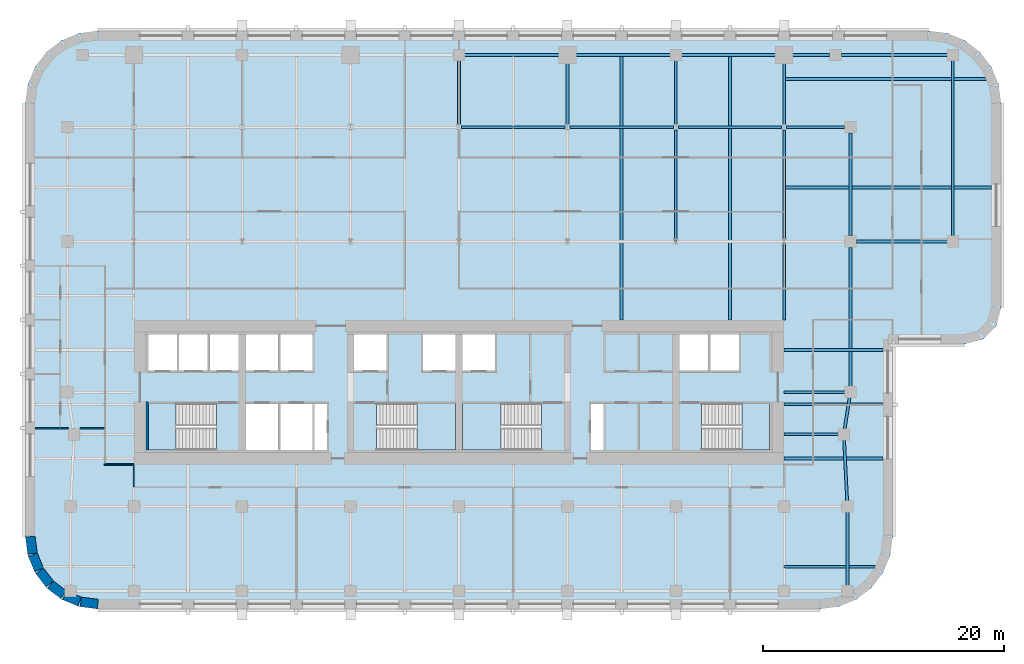
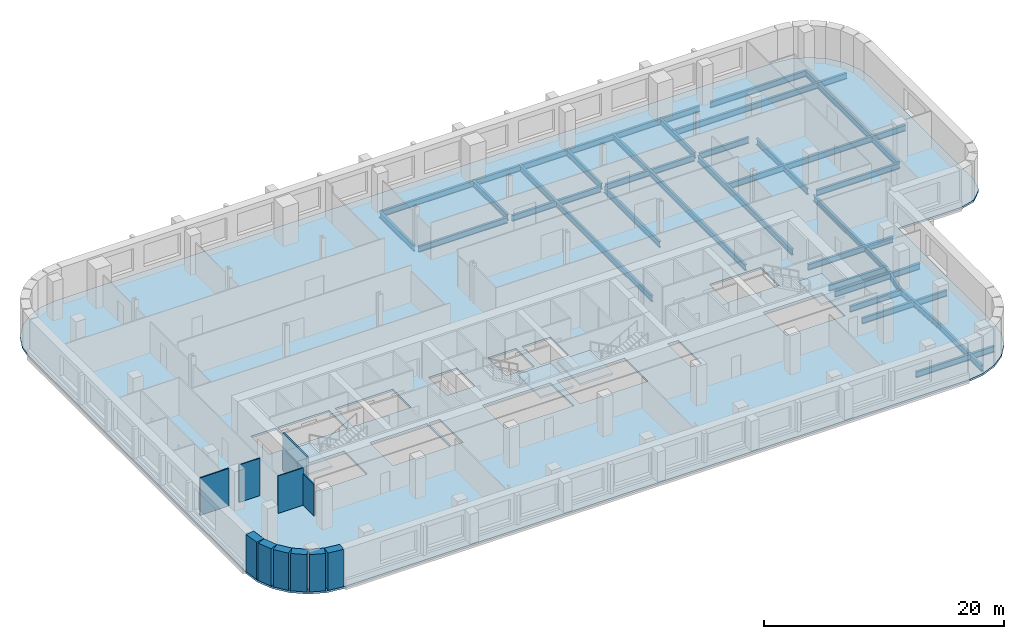
# One storey, part 2 of 10: 30 beams, 11 walls, 5 slabs, 4 elements without a shape of their own.
"""IFC4 building model written with IfcOpenShell, lengths in metres."""

from ifc_helpers import new_model, si_unit, direction, frame, frame_2d, origin, origin_2d, place, context, subcontext, project, spatial, polyline, rectangle, i_section, outline, extrude, material, layer, layer_set, material_profile, profile_set, type_object, element, aggregate, save


model = new_model("IFC4")

# Units and contexts
model_context = context("Model", 3, precision=1e-05, world=origin(), true_north=direction((0.0, 1.0)))
body_context = subcontext(model_context, "Body", "Model", "MODEL_VIEW")
ifc_project = project(units=[si_unit("LENGTHUNIT", "METRE"), si_unit("AREAUNIT", "SQUARE_METRE"), si_unit("VOLUMEUNIT", "CUBIC_METRE"), si_unit("PLANEANGLEUNIT", "RADIAN"), si_unit("MASSUNIT", "GRAM", prefix="KILO")], contexts=[model_context])

# Site, building, storey
site_placement = place(None, origin())
site = spatial("IfcSite", under=ifc_project, at=site_placement, CompositionType="ELEMENT")
building_placement = place(site_placement, origin())
building = spatial("IfcBuilding", under=site, at=building_placement, Name="Zellij Exchange Tower", CompositionType="ELEMENT")
storey_placement = place(building_placement, frame((0.0, 0.0, 128.5)))
storey = spatial("IfcBuildingStorey", under=building, at=storey_placement, Name="L28", CompositionType="ELEMENT", Elevation=128.5)

# Beams
ifc_material_1 = material(Name="Structural steel ASTM A992 Gr 50", Category="steel")
ifc_material_profile_1 = material_profile(ifc_material_1, i_section(OverallWidth=0.227783203125, OverallDepth=0.60205078125, WebThickness=0.010498046875, FlangeThickness=0.014892578125, at=origin_2d()), Name="W24x68")
ifc_profile_set_1 = profile_set([ifc_material_profile_1], Name="Structural steel ASTM A992 Gr 50")
beam_type_1 = type_object("IfcBeamType", Name="STR-BEAM W24x68", PredefinedType="BEAM", material=ifc_profile_set_1)
for number, where, z_axis, x_axis, name in (
    (1, (13.5, -2.0, -0.5009765625), (0.0, 1.0, 0.0), (-1.0, 0.0, 0.0), "B5"),
    (2, (22.5, -2.0, -0.5009765625), (0.0, 1.0, 0.0), (-1.0, 0.0, 0.0), "B5"),
):
    element("IfcBeam", number, at=place(storey_placement, frame(where, z_axis=z_axis, x_axis=x_axis)), inside=storey, type_object=beam_type_1, Name=name, PredefinedType="BEAM", context=body_context, shape_type="SweptSolid", body=[
        extrude(i_section(OverallWidth=0.227783203125, OverallDepth=0.60205078125, WebThickness=0.010498046875, FlangeThickness=0.014892578125, at=origin_2d()), origin(), (0.0, 0.0, 1.0), 22.114501953125),
    ])
beam_1_placement = place(storey_placement, frame((27.0, -22.5, -0.5009765625), z_axis=(1.0, 0.0, 0.0), x_axis=(0.0, 1.0, 0.0)))
element("IfcBeam", 3, at=beam_1_placement, inside=storey, type_object=beam_type_1, Name="B5", PredefinedType="BEAM", context=body_context, shape_type="SweptSolid", body=[
    extrude(i_section(OverallWidth=0.227783203125, OverallDepth=0.60205078125, WebThickness=0.010498046875, FlangeThickness=0.014892578125, at=origin_2d()), origin(), (0.0, 0.0, 1.0), 7.537109375),
])
for number, where, z_axis, x_axis, name in (
    (4, (27.0, -13.5, -0.5009765625), (1.0, 0.0, 0.0), (0.0, 1.0, 0.0), "B5"),
    (5, (27.0, -9.0, -0.5009765625), (1.0, 0.0, 0.0), (0.0, 1.0, 0.0), "B5"),
    (6, (27.0, -4.5, -0.5009765625), (1.0, 0.0, 0.0), (0.0, 1.0, 0.0), "B5"),
):
    element("IfcBeam", number, at=place(storey_placement, frame(where, z_axis=z_axis, x_axis=x_axis)), inside=storey, type_object=beam_type_1, Name=name, PredefinedType="BEAM", context=body_context, shape_type="SweptSolid", body=[
        extrude(i_section(OverallWidth=0.227783203125, OverallDepth=0.60205078125, WebThickness=0.010498046875, FlangeThickness=0.014892578125, at=origin_2d()), origin(), (0.0, 0.0, 1.0), 8.199951171875),
    ])
beam_2_placement = place(storey_placement, frame((27.0, 9.0, -0.5009765625), z_axis=(1.0, 0.0, 0.0), x_axis=(0.0, 1.0, 0.0)))
element("IfcBeam", 7, at=beam_2_placement, inside=storey, type_object=beam_type_1, Name="B5", PredefinedType="BEAM", context=body_context, shape_type="SweptSolid", body=[
    extrude(i_section(OverallWidth=0.227783203125, OverallDepth=0.60205078125, WebThickness=0.010498046875, FlangeThickness=0.014892578125, at=origin_2d()), origin(), (0.0, 0.0, 1.0), 17.199951171875),
])
beam_3_placement = place(storey_placement, frame((27.0, 18.0, -0.5009765625), z_axis=(1.0, 0.0, 0.0), x_axis=(0.0, 1.0, 0.0)))
element("IfcBeam", 8, at=beam_3_placement, inside=storey, type_object=beam_type_1, Name="B5", PredefinedType="BEAM", context=body_context, shape_type="SweptSolid", body=[
    extrude(i_section(OverallWidth=0.227783203125, OverallDepth=0.60205078125, WebThickness=0.010498046875, FlangeThickness=0.014892578125, at=origin_2d()), origin(), (0.0, 0.0, 1.0), 16.743896484375),
])
ifc_material_profile_2 = material_profile(ifc_material_1, i_section(OverallWidth=0.22900390625, OverallDepth=0.612060546875, WebThickness=0.011962890625, FlangeThickness=0.01953125, at=origin_2d()), Name="W24x84")
ifc_profile_set_2 = profile_set([ifc_material_profile_2], Name="Structural steel ASTM A992 Gr 50")
beam_type_2 = type_object("IfcBeamType", Name="STR-EDGE GIRDER W24x84", PredefinedType="BEAM", material=ifc_profile_set_2)
beam_4_placement = place(storey_placement, frame((32.25, -24.5, -0.506103515625), z_axis=(0.0, 1.0, 0.0), x_axis=(-1.0, 0.0, 0.0)))
element("IfcBeam", 9, at=beam_4_placement, inside=storey, type_object=beam_type_2, Name="EB6", PredefinedType="BEAM", context=body_context, shape_type="SweptSolid", body=[
    extrude(i_section(OverallWidth=0.22900390625, OverallDepth=0.612060546875, WebThickness=0.011962890625, FlangeThickness=0.01953125, at=origin_2d()), origin(), (0.0, 0.0, 1.0), 7.0),
])
beam_5_placement = place(storey_placement, frame((32.25, -17.5, -0.506103515625), z_axis=(-0.049945724537, 0.998751933465, 0.0), x_axis=(-0.998751933465, -0.049945724537, 0.0)))
element("IfcBeam", 10, at=beam_5_placement, inside=storey, type_object=beam_type_2, Name="EB6", PredefinedType="BEAM", context=body_context, shape_type="SweptSolid", body=[
    extrude(i_section(OverallWidth=0.22900390625, OverallDepth=0.612060546875, WebThickness=0.011962890625, FlangeThickness=0.01953125, at=origin_2d()), origin(), (0.0, 0.0, 1.0), 6.007568359375),
])
beam_6_placement = place(storey_placement, frame((31.949951171875, -11.5, -0.506103515625), z_axis=(0.155251283593, 0.987875011802, 0.0), x_axis=(-0.987875011802, 0.155251283593, 0.0)))
element("IfcBeam", 11, at=beam_6_placement, inside=storey, type_object=beam_type_2, Name="EB6", PredefinedType="BEAM", context=body_context, shape_type="SweptSolid", body=[
    extrude(i_section(OverallWidth=0.22900390625, OverallDepth=0.612060546875, WebThickness=0.011962890625, FlangeThickness=0.01953125, at=origin_2d()), origin(), (0.0, 0.0, 1.0), 3.54296875),
])
beam_7_placement = place(storey_placement, frame((32.5, -8.0, -0.506103515625), z_axis=(0.0, 1.0, 0.0), x_axis=(-1.0, 0.0, 0.0)))
element("IfcBeam", 12, at=beam_7_placement, inside=storey, type_object=beam_type_2, Name="EB6", PredefinedType="BEAM", context=body_context, shape_type="SweptSolid", body=[
    extrude(i_section(OverallWidth=0.22900390625, OverallDepth=0.612060546875, WebThickness=0.011962890625, FlangeThickness=0.01953125, at=origin_2d()), origin(), (0.0, 0.0, 1.0), 12.0),
])
beam_8_placement = place(storey_placement, frame((32.5, 5.0, -0.506103515625), z_axis=(0.0, 1.0, 0.0), x_axis=(-1.0, 0.0, 0.0)))
element("IfcBeam", 13, at=beam_8_placement, inside=storey, type_object=beam_type_2, Name="EB6", PredefinedType="BEAM", context=body_context, shape_type="SweptSolid", body=[
    extrude(i_section(OverallWidth=0.22900390625, OverallDepth=0.612060546875, WebThickness=0.011962890625, FlangeThickness=0.01953125, at=origin_2d()), origin(), (0.0, 0.0, 1.0), 8.5),
])
beam_9_placement = place(storey_placement, frame((41.0, 4.5, -0.506103515625), z_axis=(0.0, 1.0, 0.0), x_axis=(-1.0, 0.0, 0.0)))
element("IfcBeam", 14, at=beam_9_placement, inside=storey, type_object=beam_type_2, Name="EB6", PredefinedType="BEAM", context=body_context, shape_type="SweptSolid", body=[
    extrude(i_section(OverallWidth=0.22900390625, OverallDepth=0.612060546875, WebThickness=0.011962890625, FlangeThickness=0.01953125, at=origin_2d()), origin(), (0.0, 0.0, 1.0), 15.5),
])
ifc_material_profile_3 = material_profile(ifc_material_1, i_section(OverallWidth=0.22900390625, OverallDepth=0.612060546875, WebThickness=0.011962890625, FlangeThickness=0.01953125, at=origin_2d()), Name="W24x84")
ifc_profile_set_3 = profile_set([ifc_material_profile_3], Name="Structural steel ASTM A992 Gr 50")
beam_type_3 = type_object("IfcBeamType", Name="STR-GIRDER W24x84", PredefinedType="BEAM", material=ifc_profile_set_3)
beam_10_placement = place(storey_placement, frame((27.0, -11.5, -0.506103515625), z_axis=(1.0, 0.0, 0.0), x_axis=(0.0, 1.0, 0.0)))
element("IfcBeam", 15, at=beam_10_placement, inside=storey, type_object=beam_type_3, Name="G4", PredefinedType="BEAM", context=body_context, shape_type="SweptSolid", body=[
    extrude(i_section(OverallWidth=0.22900390625, OverallDepth=0.612060546875, WebThickness=0.011962890625, FlangeThickness=0.01953125, at=origin_2d()), origin(), (0.0, 0.0, 1.0), 4.949951171875),
])
beam_11_placement = place(storey_placement, frame((27.0, -8.0, -0.506103515625), z_axis=(1.0, 0.0, 0.0), x_axis=(0.0, 1.0, 0.0)))
element("IfcBeam", 16, at=beam_11_placement, inside=storey, type_object=beam_type_3, Name="G4", PredefinedType="BEAM", context=body_context, shape_type="SweptSolid", body=[
    extrude(i_section(OverallWidth=0.22900390625, OverallDepth=0.612060546875, WebThickness=0.011962890625, FlangeThickness=0.01953125, at=origin_2d()), origin(), (0.0, 0.0, 1.0), 5.5),
])
beam_12_placement = place(storey_placement, frame((33.0, 4.5, -0.506103515625), z_axis=(1.0, 0.0, 0.0), x_axis=(0.0, 1.0, 0.0)))
element("IfcBeam", 17, at=beam_12_placement, inside=storey, type_object=beam_type_3, Name="G4", PredefinedType="BEAM", context=body_context, shape_type="SweptSolid", body=[
    extrude(i_section(OverallWidth=0.22900390625, OverallDepth=0.612060546875, WebThickness=0.011962890625, FlangeThickness=0.01953125, at=origin_2d()), origin(), (0.0, 0.0, 1.0), 8.0),
])
beam_13_placement = place(storey_placement, frame((0.20947265625, 14.0, -0.506103515625), z_axis=(1.0, 0.0, 0.0), x_axis=(0.0, 1.0, 0.0)))
element("IfcBeam", 18, at=beam_13_placement, inside=storey, type_object=beam_type_3, Name="G4", PredefinedType="BEAM", context=body_context, shape_type="SweptSolid", body=[
    extrude(i_section(OverallWidth=0.22900390625, OverallDepth=0.612060546875, WebThickness=0.011962890625, FlangeThickness=0.01953125, at=origin_2d()), origin(), (0.0, 0.0, 1.0), 8.580810546875),
])
for number, where, z_axis, x_axis, name in (
    (19, (9.209716796875, 14.0, -0.506103515625), (1.0, 0.0, 0.0), (0.0, 1.0, 0.0), "G4"),
    (20, (18.209716796875, 14.0, -0.506103515625), (1.0, 0.0, 0.0), (0.0, 1.0, 0.0), "G4"),
):
    element("IfcBeam", number, at=place(storey_placement, frame(where, z_axis=z_axis, x_axis=x_axis)), inside=storey, type_object=beam_type_3, Name=name, PredefinedType="BEAM", context=body_context, shape_type="SweptSolid", body=[
        extrude(i_section(OverallWidth=0.22900390625, OverallDepth=0.612060546875, WebThickness=0.011962890625, FlangeThickness=0.01953125, at=origin_2d()), origin(), (0.0, 0.0, 1.0), 8.58056640625),
    ])
beam_14_placement = place(storey_placement, frame((27.209716796875, 14.0, -0.506103515625), z_axis=(1.0, 0.0, 0.0), x_axis=(0.0, 1.0, 0.0)))
element("IfcBeam", 21, at=beam_14_placement, inside=storey, type_object=beam_type_3, Name="G4", PredefinedType="BEAM", context=body_context, shape_type="SweptSolid", body=[
    extrude(i_section(OverallWidth=0.22900390625, OverallDepth=0.612060546875, WebThickness=0.011962890625, FlangeThickness=0.01953125, at=origin_2d()), origin(), (0.0, 0.0, 1.0), 4.790283203125),
])
beam_15_placement = place(storey_placement, frame((0.0, 20.0, -0.506103515625), z_axis=(1.0, 0.0, 0.0), x_axis=(0.0, 1.0, 0.0)))
element("IfcBeam", 22, at=beam_15_placement, inside=storey, type_object=beam_type_3, Name="G4", PredefinedType="BEAM", context=body_context, shape_type="SweptSolid", body=[
    extrude(i_section(OverallWidth=0.22900390625, OverallDepth=0.612060546875, WebThickness=0.011962890625, FlangeThickness=0.01953125, at=origin_2d()), origin(), (0.0, 0.0, 1.0), 18.0),
])
beam_16_placement = place(storey_placement, frame((18.0, 20.0, -0.506103515625), z_axis=(1.0, 0.0, 0.0), x_axis=(0.0, 1.0, 0.0)))
element("IfcBeam", 23, at=beam_16_placement, inside=storey, type_object=beam_type_3, Name="G4", PredefinedType="BEAM", context=body_context, shape_type="SweptSolid", body=[
    extrude(i_section(OverallWidth=0.22900390625, OverallDepth=0.612060546875, WebThickness=0.011962890625, FlangeThickness=0.01953125, at=origin_2d()), origin(), (0.0, 0.0, 1.0), 12.75),
])
beam_17_placement = place(storey_placement, frame((31.75, 20.0, -0.506103515625), z_axis=(1.0, 0.0, 0.0), x_axis=(0.0, 1.0, 0.0)))
element("IfcBeam", 24, at=beam_17_placement, inside=storey, type_object=beam_type_3, Name="G4", PredefinedType="BEAM", context=body_context, shape_type="SweptSolid", body=[
    extrude(i_section(OverallWidth=0.22900390625, OverallDepth=0.612060546875, WebThickness=0.011962890625, FlangeThickness=0.01953125, at=origin_2d()), origin(), (0.0, 0.0, 1.0), 9.25),
])
for number, where, z_axis, x_axis, name in (
    (25, (0.0, 14.227294921875, -0.506103515625), (0.0, 1.0, 0.0), (-1.0, 0.0, 0.0), "G4"),
    (26, (9.0, 14.227294921875, -0.506103515625), (0.0, 1.0, 0.0), (-1.0, 0.0, 0.0), "G4"),
):
    element("IfcBeam", number, at=place(storey_placement, frame(where, z_axis=z_axis, x_axis=x_axis)), inside=storey, type_object=beam_type_3, Name=name, PredefinedType="BEAM", context=body_context, shape_type="SweptSolid", body=[
        extrude(i_section(OverallWidth=0.22900390625, OverallDepth=0.612060546875, WebThickness=0.011962890625, FlangeThickness=0.01953125, at=origin_2d()), origin(), (0.0, 0.0, 1.0), 5.772705078125),
    ])
beam_18_placement = place(storey_placement, frame((18.0, 4.5, -0.506103515625), z_axis=(0.0, 1.0, 0.0), x_axis=(-1.0, 0.0, 0.0)))
element("IfcBeam", 27, at=beam_18_placement, inside=storey, type_object=beam_type_3, Name="G4", PredefinedType="BEAM", context=body_context, shape_type="SweptSolid", body=[
    extrude(i_section(OverallWidth=0.22900390625, OverallDepth=0.612060546875, WebThickness=0.011962890625, FlangeThickness=0.01953125, at=origin_2d()), origin(), (0.0, 0.0, 1.0), 9.272705078125),
])
beam_19_placement = place(storey_placement, frame((18.0, 14.227294921875, -0.506103515625), z_axis=(0.0, 1.0, 0.0), x_axis=(-1.0, 0.0, 0.0)))
element("IfcBeam", 28, at=beam_19_placement, inside=storey, type_object=beam_type_3, Name="G4", PredefinedType="BEAM", context=body_context, shape_type="SweptSolid", body=[
    extrude(i_section(OverallWidth=0.22900390625, OverallDepth=0.612060546875, WebThickness=0.011962890625, FlangeThickness=0.01953125, at=origin_2d()), origin(), (0.0, 0.0, 1.0), 5.772705078125),
])
beam_20_placement = place(storey_placement, frame((27.0, -2.0, -0.506103515625), z_axis=(0.0, 1.0, 0.0), x_axis=(-1.0, 0.0, 0.0)))
element("IfcBeam", 29, at=beam_20_placement, inside=storey, type_object=beam_type_3, Name="G4", PredefinedType="BEAM", context=body_context, shape_type="SweptSolid", body=[
    extrude(i_section(OverallWidth=0.22900390625, OverallDepth=0.612060546875, WebThickness=0.011962890625, FlangeThickness=0.01953125, at=origin_2d()), origin(), (0.0, 0.0, 1.0), 15.772705078125),
])
beam_21_placement = place(storey_placement, frame((27.0, 14.227294921875, -0.506103515625), z_axis=(0.0, 1.0, 0.0), x_axis=(-1.0, 0.0, 0.0)))
element("IfcBeam", 30, at=beam_21_placement, inside=storey, type_object=beam_type_3, Name="G4", PredefinedType="BEAM", context=body_context, shape_type="SweptSolid", body=[
    extrude(i_section(OverallWidth=0.22900390625, OverallDepth=0.612060546875, WebThickness=0.011962890625, FlangeThickness=0.01953125, at=origin_2d()), origin(), (0.0, 0.0, 1.0), 5.772705078125),
])

# Stair, slab
ifc_material_2 = material(Name="Concrete C40/50", Category="concrete")
stair_type = type_object("IfcStairType", Name="CORE-ST exit stair 1850 wide", PredefinedType="HALF_TURN_STAIR", material=ifc_material_2)
stair_1_placement = place(storey_placement, origin())
stair_1 = element("IfcStair", 31, at=stair_1_placement, inside=storey, type_object=stair_type, Name="L28 exit stair ST1", PredefinedType="HALF_TURN_STAIR")
ifc_layer_1 = layer(ifc_material_2, 0.199951171875)
ifc_layer_set_1 = layer_set([ifc_layer_1], Name="Concrete C40/50")
slab_type_1 = type_object("IfcSlabType", Name="CORE-SL stair landing 200", PredefinedType="LANDING", material=ifc_layer_set_1)
slab_1_placement = place(storey_placement, frame((0.0, 0.0, 1.800048828125)))
slab_1 = element("IfcSlab", 32, at=slab_1_placement, type_object=slab_type_1, Name="ST1 landing 1", PredefinedType="LANDING", context=body_context, shape_type="SweptSolid", body=[
    extrude(outline(polyline([(-23.510009765625, -8.949951171875), (-25.800048828125, -8.949951171875), (-25.800048828125, -12.800048828125), (-23.510009765625, -12.800048828125), (-23.510009765625, -8.949951171875)])), origin(), (0.0, 0.0, 1.0), 0.199951171875),
])
aggregate(stair_1, [slab_1])

stair_2_placement = place(storey_placement, origin())
stair_2 = element("IfcStair", 33, at=stair_2_placement, inside=storey, type_object=stair_type, Name="L28 exit stair ST2", PredefinedType="HALF_TURN_STAIR")
slab_2_placement = place(storey_placement, frame((0.0, 0.0, 1.800048828125)))
slab_2 = element("IfcSlab", 34, at=slab_2_placement, type_object=slab_type_1, Name="ST2 landing 1", PredefinedType="LANDING", context=body_context, shape_type="SweptSolid", body=[
    extrude(outline(polyline([(-3.489990234375, -12.800048828125), (-0.300048828125, -12.800048828125), (-0.300048828125, -8.949951171875), (-3.489990234375, -8.949951171875), (-3.489990234375, -12.800048828125)])), origin(), (0.0, 0.0, 1.0), 0.199951171875),
])
aggregate(stair_2, [slab_2])

stair_3_placement = place(storey_placement, origin())
stair_3 = element("IfcStair", 35, at=stair_3_placement, inside=storey, type_object=stair_type, Name="L28 exit stair ST3", PredefinedType="HALF_TURN_STAIR")
slab_3_placement = place(storey_placement, frame((0.0, 0.0, 1.800048828125)))
slab_3 = element("IfcSlab", 36, at=slab_3_placement, type_object=slab_type_1, Name="ST3 landing 1", PredefinedType="LANDING", context=body_context, shape_type="SweptSolid", body=[
    extrude(outline(polyline([(3.489990234375, -8.949951171875), (0.300048828125, -8.949951171875), (0.300048828125, -12.800048828125), (3.489990234375, -12.800048828125), (3.489990234375, -8.949951171875)])), origin(), (0.0, 0.0, 1.0), 0.199951171875),
])
aggregate(stair_3, [slab_3])

stair_4_placement = place(storey_placement, origin())
stair_4 = element("IfcStair", 37, at=stair_4_placement, inside=storey, type_object=stair_type, Name="L28 exit stair ST4", PredefinedType="HALF_TURN_STAIR")
slab_4_placement = place(storey_placement, frame((0.0, 0.0, 1.800048828125)))
slab_4 = element("IfcSlab", 38, at=slab_4_placement, type_object=slab_type_1, Name="ST4 landing 1", PredefinedType="LANDING", context=body_context, shape_type="SweptSolid", body=[
    extrude(outline(polyline([(23.510009765625, -12.800048828125), (25.800048828125, -12.800048828125), (25.800048828125, -8.949951171875), (23.510009765625, -8.949951171875), (23.510009765625, -12.800048828125)])), origin(), (0.0, 0.0, 1.0), 0.199951171875),
])
aggregate(stair_4, [slab_4])

# Slab
ifc_layer_2 = layer(ifc_material_2, 0.199951171875)
ifc_layer_set_2 = layer_set([ifc_layer_2], Name="Concrete C40/50")
slab_type_2 = type_object("IfcSlabType", Name="STR-FLOOR SLAB 200 C40/50", PredefinedType="FLOOR", material=ifc_layer_set_2)
slab_5_placement = place(storey_placement, frame((0.0, 0.0, -0.2001953125)))
element("IfcSlab", 39, at=slab_5_placement, inside=storey, type_object=slab_type_2, Name="Floor L28", PredefinedType="FLOOR", context=body_context, shape_type="SweptSolid", body=[
    extrude(outline(polyline([(35.795654296875, -21.552978515625), (35.1962890625, -23.0), (34.24267578125, -24.24267578125), (33.0, -25.1962890625), (31.552978515625, -25.795654296875), (30.0, -26.0), (-30.0, -26.0), (-31.552978515625, -25.795654296875), (-33.0, -25.1962890625), (-34.24267578125, -24.24267578125), (-35.1962890625, -23.0), (-35.795654296875, -21.552978515625), (-36.0, -20.0), (-36.0, 16.0), (-35.795654296875, 17.552978515625), (-35.1962890625, 19.0), (-34.24267578125, 20.24267578125), (-33.0, 21.1962890625), (-31.552978515625, 21.795654296875), (-30.0, 22.0), (39.0, 22.0), (40.552978515625, 21.795654296875), (42.0, 21.1962890625), (43.24267578125, 20.24267578125), (44.1962890625, 19.0), (44.795654296875, 17.552978515625), (45.0, 16.0), (45.0, -1.0), (44.59814453125, -2.5), (43.5, -3.59814453125), (42.0, -4.0), (36.0, -4.0), (36.0, -20.0), (35.795654296875, -21.552978515625)]), holes=[polyline([(-25.800048828125, -8.949951171875), (-25.800048828125, -12.800048828125), (-20.153076171875, -12.800048828125), (-20.153076171875, -8.949951171875), (-25.800048828125, -8.949951171875)]), polyline([(-12.14990234375, -8.949951171875), (-17.699951171875, -8.949951171875), (-17.699951171875, -12.800048828125), (-12.14990234375, -12.800048828125), (-12.14990234375, -8.949951171875)]), polyline([(-10.949951171875, -8.949951171875), (-12.0, -8.949951171875), (-12.0, -12.800048828125), (-10.949951171875, -12.800048828125), (-10.949951171875, -8.949951171875)]), polyline([(-23.39990234375, -3.199951171875), (-25.800048828125, -3.199951171875), (-25.800048828125, -6.22509765625), (-23.39990234375, -6.22509765625), (-23.39990234375, -3.199951171875)]), polyline([(-18.300048828125, -3.199951171875), (-23.25, -3.199951171875), (-23.25, -6.22509765625), (-18.300048828125, -6.22509765625), (-18.300048828125, -3.199951171875)]), polyline([(-12.14990234375, -3.199951171875), (-17.699951171875, -3.199951171875), (-17.699951171875, -6.22509765625), (-12.14990234375, -6.22509765625), (-12.14990234375, -3.199951171875)]), polyline([(-6.0, -3.199951171875), (-8.699951171875, -3.199951171875), (-8.699951171875, -6.22509765625), (-6.0, -6.22509765625), (-6.0, -3.199951171875)]), polyline([(-6.846923828125, -8.949951171875), (-6.846923828125, -12.800048828125), (-0.300048828125, -12.800048828125), (-0.300048828125, -8.949951171875), (-6.846923828125, -8.949951171875)]), polyline([(6.846923828125, -8.949951171875), (0.300048828125, -8.949951171875), (0.300048828125, -12.800048828125), (6.846923828125, -12.800048828125), (6.846923828125, -8.949951171875)]), polyline([(12.0, -8.949951171875), (10.949951171875, -8.949951171875), (10.949951171875, -12.800048828125), (12.0, -12.800048828125), (12.0, -8.949951171875)]), polyline([(25.800048828125, -8.949951171875), (20.153076171875, -8.949951171875), (20.153076171875, -12.800048828125), (25.800048828125, -12.800048828125), (25.800048828125, -8.949951171875)]), polyline([(-0.300048828125, -3.199951171875), (-3.0, -3.199951171875), (-3.0, -6.22509765625), (-0.300048828125, -6.22509765625), (-0.300048828125, -3.199951171875)]), polyline([(3.0, -3.199951171875), (0.300048828125, -3.199951171875), (0.300048828125, -6.22509765625), (3.0, -6.22509765625), (3.0, -3.199951171875)]), polyline([(23.25, -3.199951171875), (18.300048828125, -3.199951171875), (18.300048828125, -6.22509765625), (23.25, -6.22509765625), (23.25, -3.199951171875)])]), origin(), (0.0, 0.0, 1.0), 0.2001953125),
])

# Walls
ifc_material_3 = material(Name="Concrete C30/37", Category="concrete")
ifc_layer_3 = layer(ifc_material_3, 0.199951171875)
ifc_layer_set_3 = layer_set([ifc_layer_3], Name="Concrete C30/37")
wall_type_1 = type_object("IfcWallType", Name="CORE-LW 200 C30/37", PredefinedType="SHEAR", material=ifc_layer_set_3)
wall_1_placement = place(storey_placement, frame((-25.89990234375, -12.800048828125, 0.0), z_axis=(0.0, 0.0, 1.0), x_axis=(0.0, 1.0, 0.0)))
element("IfcWall", 40, at=wall_1_placement, inside=storey, type_object=wall_type_1, Name="Core wall lining end w.0 L28", PredefinedType="SHEAR", context=body_context, shape_type="SweptSolid", body=[
    extrude(rectangle(XDim=4.0, YDim=0.199951171875, at=frame_2d((2.0, 0.0))), origin(), (0.0, 0.0, 1.0), 3.800048828125),
])
ifc_material_4 = material(Name="Precast concrete C40/50", Category="concrete")
ifc_layer_4 = layer(ifc_material_4, 0.800048828125)
ifc_layer_set_4 = layer_set([ifc_layer_4], Name="Precast concrete C40/50")
wall_type_2 = type_object("IfcWallType", Name="ENV-EW1 Precast stone-piered wall 800", PredefinedType="SOLIDWALL", material=ifc_layer_set_4)
wall_2_placement = place(storey_placement, frame((-35.5966796875, -19.999755859375, 0.0), z_axis=(0.0, 0.0, 1.0), x_axis=(0.130517283865, -0.99144603414, 0.0)))
element("IfcWall", 41, at=wall_2_placement, inside=storey, type_object=wall_type_2, Name="fac.L28.27", PredefinedType="SOLIDWALL", context=body_context, shape_type="SweptSolid", body=[
    extrude(rectangle(XDim=1.408447265625, YDim=0.800048828125, at=frame_2d((0.7041015625, 0.0))), origin(), (0.0, 0.0, 1.0), 3.800048828125),
])
wall_3_placement = place(storey_placement, frame((-35.3857421875, -21.497314453125, 0.0), z_axis=(0.0, 0.0, 1.0), x_axis=(0.38276009378, -0.923847774587, 0.0)))
element("IfcWall", 42, at=wall_3_placement, inside=storey, type_object=wall_type_2, Name="fac.L28.28", PredefinedType="SOLIDWALL", context=body_context, shape_type="SweptSolid", body=[
    extrude(rectangle(XDim=1.35546875, YDim=0.800048828125, at=frame_2d((0.677734375, 0.0))), origin(), (0.0, 0.0, 1.0), 3.800048828125),
])
for number, where, z_axis, x_axis, name in (
    (43, (-34.814697265625, -22.840087890625, 0.0), (0.0, 0.0, 1.0), (0.608866226366, -0.793272915452, 0.0), "fac.L28.29"),
    (44, (-33.91552734375, -23.9892578125, 0.0), (0.0, 0.0, 1.0), (0.793272915452, -0.608866226366, 0.0), "fac.L28.30"),
):
    element("IfcWall", number, at=place(storey_placement, frame(where, z_axis=z_axis, x_axis=x_axis)), inside=storey, type_object=wall_type_2, Name=name, PredefinedType="SOLIDWALL", context=body_context, shape_type="SweptSolid", body=[
        extrude(rectangle(XDim=1.355712890625, YDim=0.800048828125, at=frame_2d((0.677734375, 0.0))), origin(), (0.0, 0.0, 1.0), 3.800048828125),
    ])
wall_4_placement = place(storey_placement, frame((-32.74951171875, -24.866943359375, 0.0), z_axis=(0.0, 0.0, 1.0), x_axis=(0.923847774587, -0.38276009378, 0.0)))
element("IfcWall", 45, at=wall_4_placement, inside=storey, type_object=wall_type_2, Name="fac.L28.31", PredefinedType="SOLIDWALL", context=body_context, shape_type="SweptSolid", body=[
    extrude(rectangle(XDim=1.35546875, YDim=0.800048828125, at=frame_2d((0.677734375, 0.0))), origin(), (0.0, 0.0, 1.0), 3.800048828125),
])
wall_5_placement = place(storey_placement, frame((-31.396240234375, -25.412841796875, 0.0), z_axis=(0.0, 0.0, 1.0), x_axis=(0.99144603414, -0.130517283865, 0.0)))
element("IfcWall", 46, at=wall_5_placement, inside=storey, type_object=wall_type_2, Name="fac.L28.32", PredefinedType="SOLIDWALL", context=body_context, shape_type="SweptSolid", body=[
    extrude(rectangle(XDim=1.408447265625, YDim=0.800048828125, at=frame_2d((0.7041015625, 0.0))), origin(), (0.0, 0.0, 1.0), 3.800048828125),
])
ifc_material_5 = material(Name="Gypsum board partition on steel studs", Category="steel")
ifc_layer_5 = layer(ifc_material_5, 0.10009765625)
ifc_layer_set_5 = layer_set([ifc_layer_5], Name="Gypsum board partition on steel studs")
wall_type_3 = type_object("IfcWallType", Name="FIT-PARTITION-100", PredefinedType="PARTITIONING", material=ifc_layer_set_5)
wall_6_placement = place(storey_placement, frame((-27.0, -15.85009765625, 0.0), z_axis=(0.0, 0.0, 1.0), x_axis=(0.0, 1.0, 0.0)))
element("IfcWall", 47, at=wall_6_placement, inside=storey, type_object=wall_type_3, Name="FIT-PARTITION-100 008", PredefinedType="PARTITIONING", context=body_context, shape_type="SweptSolid", body=[
    extrude(rectangle(XDim=1.800048828125, YDim=0.10009765625, at=frame_2d((0.89990234375, 0.0))), origin(), (0.0, 0.0, 1.0), 3.18798828125),
])
wall_7_placement = place(storey_placement, frame((-29.449951171875, -14.0, 0.0), z_axis=(0.0, 0.0, 1.0), x_axis=(1.0, 0.0, 0.0)))
element("IfcWall", 48, at=wall_7_placement, inside=storey, type_object=wall_type_3, Name="FIT-PARTITION-100 010", PredefinedType="PARTITIONING", context=body_context, shape_type="SweptSolid", body=[
    extrude(rectangle(XDim=2.449951171875, YDim=0.10009765625, at=frame_2d((1.22509765625, 0.0))), origin(), (0.0, 0.0, 1.0), 3.800048828125),
])
wall_8_placement = place(storey_placement, frame((-35.199951171875, -10.989990234375, 0.0), z_axis=(0.0, 0.0, 1.0), x_axis=(1.0, 0.0, 0.0)))
element("IfcWall", 49, at=wall_8_placement, inside=storey, type_object=wall_type_3, Name="FIT-PARTITION-100 014", PredefinedType="PARTITIONING", context=body_context, shape_type="SweptSolid", body=[
    extrude(rectangle(XDim=2.75, YDim=0.10009765625, at=frame_2d((1.375, 0.0))), origin(), (0.0, 0.0, 1.0), 3.800048828125),
])
wall_9_placement = place(storey_placement, frame((-31.449951171875, -10.989990234375, 0.0), z_axis=(0.0, 0.0, 1.0), x_axis=(1.0, 0.0, 0.0)))
element("IfcWall", 50, at=wall_9_placement, inside=storey, type_object=wall_type_3, Name="FIT-PARTITION-100 015", PredefinedType="PARTITIONING", context=body_context, shape_type="SweptSolid", body=[
    extrude(rectangle(XDim=2.0, YDim=0.10009765625, at=frame_2d((1.0, 0.0))), origin(), (0.0, 0.0, 1.0), 3.800048828125),
])

save(model, "model.ifc")
